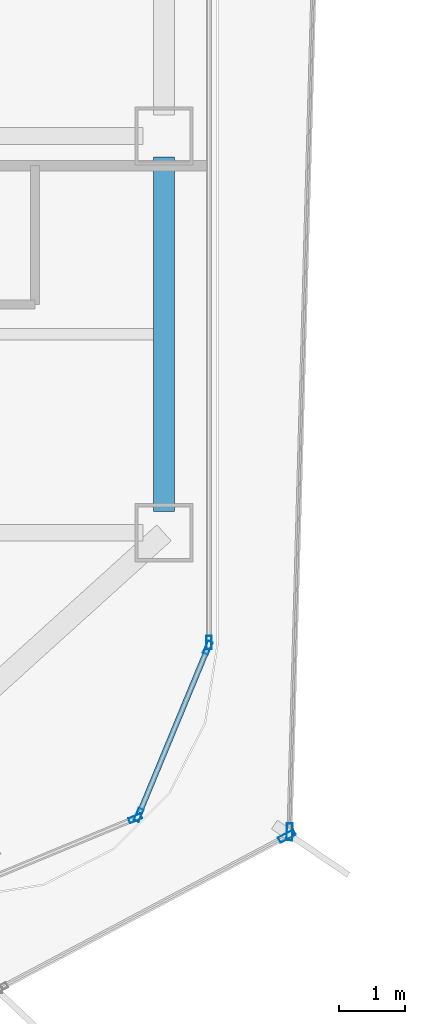
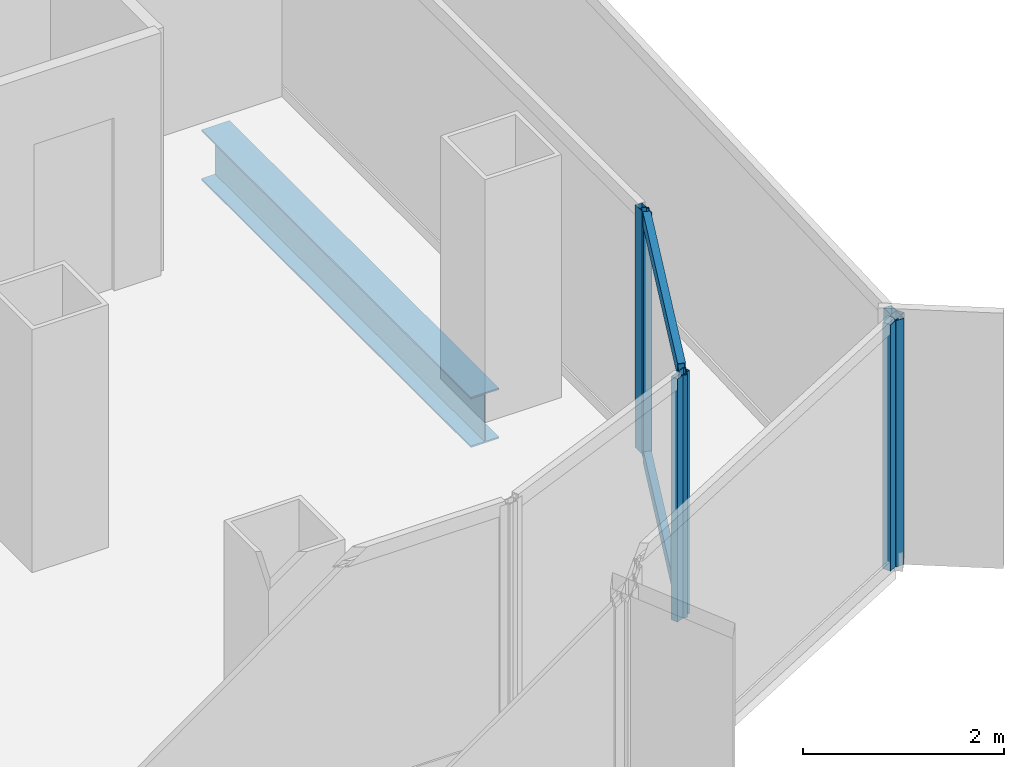
# One storey, part 8 of 21: 8 members, 1 beam, 5 elements without a shape of their own.
"""IFC4 building model written with IfcOpenShell, lengths in metres."""

import ifcopenshell
import ifcopenshell.guid

model = None  # the IFC model being written
_history = None  # IfcOwnerHistory: only IFC2X3 demands one
_inside = {}  # id of a spatial element -> (the spatial element, [elements in it])
_under = {}  # id of a project, library or spatial element -> (it, [spatial elements below it])
_declared = {}  # id of a project -> (the project, [libraries it declares])
_typed = {}  # id of a type object -> (the type object, [elements of that type])
_made_of = {}  # id of a material, layer set ... -> (it, [elements and type objects made of it])


def new_model(schema):
    """Start an empty IFC model of exactly this schema.

    Asked for "IFC4X3", IfcOpenShell would pick the latest addendum, in which some entities
    have other attributes; the version numbers below select the first issue.
    IFC2X3 requires an IfcOwnerHistory on every rooted entity: one is made here for all.
    """
    global model, _history
    if schema == "IFC4X3":
        model = ifcopenshell.file(schema_version=(4, 3, 0, 0))
    else:
        model = ifcopenshell.file(schema=schema)
    _inside.clear()
    _under.clear()
    _declared.clear()
    _typed.clear()
    _made_of.clear()
    _history = None
    if model.schema == "IFC2X3":
        org = make("IfcOrganization", Name="unknown")
        user = make(
            "IfcPersonAndOrganization",
            ThePerson=make("IfcPerson", FamilyName="unknown"),
            TheOrganization=org,
        )
        app = make(
            "IfcApplication",
            ApplicationDeveloper=org,
            Version="unknown",
            ApplicationFullName="unknown",
            ApplicationIdentifier="unknown",
        )
        _history = make(
            "IfcOwnerHistory",
            OwningUser=user,
            OwningApplication=app,
            ChangeAction="ADDED",
            CreationDate=0,
        )
    return model


def make(cls, **values):
    """One entity of the class cls with the attributes given. An attribute that is None is left unset."""
    return model.create_entity(
        cls, **{name: value for name, value in values.items() if value is not None}
    )


def rooted(cls, **values):
    """An entity with a GlobalId (a new one), such as an element, a storey or a relation."""
    return make(cls, GlobalId=ifcopenshell.guid.new(), OwnerHistory=_history, **values)


def si_unit(unit_type, name, prefix=None):
    """IfcSIUnit, for example si_unit("LENGTHUNIT", "METRE", prefix="MILLI")."""
    return make("IfcSIUnit", UnitType=unit_type, Prefix=prefix, Name=name)


def assignment(units):
    """IfcUnitAssignment: the units of a project."""
    return None if units is None else make("IfcUnitAssignment", Units=units)


def point(xyz):
    """IfcCartesianPoint."""
    return None if xyz is None else make("IfcCartesianPoint", Coordinates=xyz)


def direction(xyz):
    """IfcDirection."""
    return None if xyz is None else make("IfcDirection", DirectionRatios=xyz)


def frame(location, z_axis=None, x_axis=None):
    """IfcAxis2Placement3D, a coordinate frame: its origin and axes. An axis left out is left unset."""
    return make(
        "IfcAxis2Placement3D",
        Location=point(location),
        Axis=direction(z_axis),
        RefDirection=direction(x_axis),
    )


def frame_2d(location, x_axis=None):
    """IfcAxis2Placement2D, a coordinate frame in the plane: its origin and x axis."""
    return make(
        "IfcAxis2Placement2D", Location=point(location), RefDirection=direction(x_axis)
    )


def origin():
    """The frame at (0, 0, 0) with its axes left unset."""
    return frame((0.0, 0.0, 0.0))


def origin_2d():
    """The frame at (0, 0) in the plane with its x axis left unset."""
    return frame_2d((0.0, 0.0))


def place(relative_to, where):
    """IfcLocalPlacement: puts the frame where relative to a parent placement (None: the world)."""
    return make(
        "IfcLocalPlacement", PlacementRelTo=relative_to, RelativePlacement=where
    )


def context(
    kind, dimensions, precision=None, world=None, true_north=None, identifier=None
):
    """IfcGeometricRepresentationContext, for example the 3D "Model" context."""
    return make(
        "IfcGeometricRepresentationContext",
        ContextIdentifier=identifier,
        ContextType=kind,
        CoordinateSpaceDimension=dimensions,
        Precision=precision,
        WorldCoordinateSystem=world,
        TrueNorth=true_north,
    )


def subcontext(parent, identifier, kind, view, scale=None):
    """IfcGeometricRepresentationSubContext, for example "Body" below "Model"."""
    return make(
        "IfcGeometricRepresentationSubContext",
        ContextIdentifier=identifier,
        ContextType=kind,
        ParentContext=parent,
        TargetScale=scale,
        TargetView=view,
    )


def project(units=None, contexts=None):
    """IfcProject with its units and contexts."""
    return rooted(
        "IfcProject",
        Name="project",
        RepresentationContexts=contexts,
        UnitsInContext=assignment(units),
    )


def spatial(cls, under=None, at=None, **own):
    """A site, building, storey or space (cls), placed at a placement, below another one or the project."""
    s = rooted(cls, ObjectPlacement=at, **own)
    if under is not None:
        _under.setdefault(under.id(), (under, []))[1].append(s)
    return s


def profile(cls, at=None, kind="AREA", **sizes):
    """A parametric profile (cls). Its sizes go by their IFC names, for example OverallWidth=200.0."""
    return make(cls, ProfileType=kind, Position=at, **sizes)


def hollow_rectangle(**sizes):
    """IfcRectangleHollowProfileDef."""
    return profile("IfcRectangleHollowProfileDef", **sizes)


def i_section(**sizes):
    """IfcIShapeProfileDef."""
    return profile("IfcIShapeProfileDef", **sizes)


def extrude(swept, where, along, depth):
    """IfcExtrudedAreaSolid: the profile swept, set in the frame where, extruded along a direction by depth."""
    return make(
        "IfcExtrudedAreaSolid",
        SweptArea=swept,
        Position=where,
        ExtrudedDirection=direction(along),
        Depth=depth,
    )


def shape(context_of_items, identifier, shape_type, items):
    """IfcShapeRepresentation: the items that make up one representation, for example the "Body"."""
    return make(
        "IfcShapeRepresentation",
        ContextOfItems=context_of_items,
        RepresentationIdentifier=identifier,
        RepresentationType=shape_type,
        Items=items,
    )


def source(mapping_origin, context_of_items, identifier, shape_type, items):
    """IfcRepresentationMap: a shape defined once, which mapped items show again and again."""
    return make(
        "IfcRepresentationMap",
        MappingOrigin=mapping_origin,
        MappedRepresentation=shape(context_of_items, identifier, shape_type, items),
    )


def transform(
    local_origin,
    x_axis=None,
    y_axis=None,
    z_axis=None,
    scale=None,
    scale2=None,
    scale3=None,
    uniform=True,
):
    """IfcCartesianTransformationOperator3D, or its non-uniform kind. x_axis, y_axis, z_axis: its Axis1, 2, 3."""
    if uniform:
        return make(
            "IfcCartesianTransformationOperator3D",
            Axis1=direction(x_axis),
            Axis2=direction(y_axis),
            LocalOrigin=point(local_origin),
            Scale=scale,
            Axis3=direction(z_axis),
        )
    return make(
        "IfcCartesianTransformationOperator3DnonUniform",
        Axis1=direction(x_axis),
        Axis2=direction(y_axis),
        LocalOrigin=point(local_origin),
        Scale=scale,
        Axis3=direction(z_axis),
        Scale2=scale2,
        Scale3=scale3,
    )


def mapped(mapping_source, mapping_target):
    """IfcMappedItem: shows the shape of a source again, moved by a transform."""
    return make(
        "IfcMappedItem", MappingSource=mapping_source, MappingTarget=mapping_target
    )


def material(Name=None, Category=None):
    """IfcMaterial."""
    return make("IfcMaterial", Name=Name, Category=Category)


def layer(
    of_material, thickness, ventilated=None, Name=None, Category=None, Priority=None
):
    """IfcMaterialLayer: one layer of a wall or slab, of a material (None: an air gap)."""
    return make(
        "IfcMaterialLayer",
        Material=of_material,
        LayerThickness=thickness,
        IsVentilated=ventilated,
        Name=Name,
        Category=Category,
        Priority=Priority,
    )


def layer_set(layers, Name=None):
    """IfcMaterialLayerSet."""
    return make("IfcMaterialLayerSet", MaterialLayers=layers, LayerSetName=Name)


def material_profile(
    of_material, cross_section, Name=None, Category=None, Priority=None
):
    """IfcMaterialProfile: a cross section and its material."""
    return make(
        "IfcMaterialProfile",
        Name=Name,
        Material=of_material,
        Profile=cross_section,
        Priority=Priority,
        Category=Category,
    )


def profile_set(profiles, Name=None, composite=None):
    """IfcMaterialProfileSet."""
    return make(
        "IfcMaterialProfileSet",
        Name=Name,
        MaterialProfiles=profiles,
        CompositeProfile=composite,
    )


def made_of(thing, what):
    """Note that an element or type object is made of a material, layer set ...; save() writes the relation."""
    if what is not None:
        _made_of.setdefault(what.id(), (what, []))[1].append(thing)
    return thing


def type_object(cls, material=None, **own):
    """A type object (cls), such as IfcWallType, which elements share."""
    return made_of(rooted(cls, **own), material)


def element(
    cls,
    number,
    at=None,
    inside=None,
    cuts=None,
    type_object=None,
    material=None,
    context=None,
    identifier="Body",
    shape_type=None,
    held_by="IfcProductDefinitionShape",
    body=None,
    shapes=None,
    **own,
):
    """One element of the class cls, such as IfcWall. Its Tag is "e" and its number.

    at: its placement. inside: the storey or other place that contains it. cuts: it is an
    opening in that element (IfcRelVoidsElement). A single representation is given by context,
    identifier, shape_type and body (its items); several are given by shapes. held_by: the class
    of the entity that holds the representations. save() writes the other relations.
    """
    e = rooted(cls, Tag="e%d" % number, ObjectPlacement=at, **own)
    if body is not None:
        shapes = [shape(context, identifier, shape_type, body)]
    if shapes is not None:
        e.Representation = make(held_by, Representations=shapes)
    if inside is not None:
        _inside.setdefault(inside.id(), (inside, []))[1].append(e)
    if cuts is not None:
        rooted(
            "IfcRelVoidsElement", RelatingBuildingElement=cuts, RelatedOpeningElement=e
        )
    if type_object is not None:
        _typed.setdefault(type_object.id(), (type_object, []))[1].append(e)
    return made_of(e, material)


def aggregate(whole, parts):
    """IfcRelAggregates: a whole, such as a stair, and the parts it consists of."""
    return rooted("IfcRelAggregates", RelatingObject=whole, RelatedObjects=parts)


def save(model, path):
    """Write the relations noted so far, then the file.

    IfcRelAggregates (storeys below a building ...), IfcRelContainedInSpatialStructure (elements
    in a storey), IfcRelDefinesByType, IfcRelAssociatesMaterial and IfcRelDeclares: one each for
    every whole, place, type object, material and project.
    """
    for whole, parts in _under.values():
        aggregate(whole, parts)
    for where, things in _inside.values():
        rooted(
            "IfcRelContainedInSpatialStructure",
            RelatedElements=things,
            RelatingStructure=where,
        )
    for kind, things in _typed.values():
        rooted("IfcRelDefinesByType", RelatedObjects=things, RelatingType=kind)
    for what, things in _made_of.values():
        rooted("IfcRelAssociatesMaterial", RelatedObjects=things, RelatingMaterial=what)
    for by, libraries in _declared.values():
        rooted("IfcRelDeclares", RelatingContext=by, RelatedDefinitions=libraries)
    model.write(path)


model = new_model("IFC4")

# Units and contexts
model_context = context("Model", 3, precision=1e-05, world=origin(), true_north=direction((0.0, 1.0)))
body_context = subcontext(model_context, "Body", "Model", "MODEL_VIEW")
ifc_project = project(units=[si_unit("LENGTHUNIT", "METRE"), si_unit("AREAUNIT", "SQUARE_METRE"), si_unit("VOLUMEUNIT", "CUBIC_METRE"), si_unit("PLANEANGLEUNIT", "RADIAN"), si_unit("MASSUNIT", "GRAM", prefix="KILO")], contexts=[model_context])

# Site, building, storey
site_placement = place(None, origin())
site = spatial("IfcSite", under=ifc_project, at=site_placement, CompositionType="ELEMENT")
building_placement = place(site_placement, origin())
building = spatial("IfcBuilding", under=site, at=building_placement, Name="Kolveth Station Tower", CompositionType="ELEMENT")
storey_placement = place(building_placement, frame((0.0, 0.0, 124.699951171875)))
storey = spatial("IfcBuildingStorey", under=building, at=storey_placement, Name="L34", CompositionType="ELEMENT", Elevation=124.699951171875)

# Beam
ifc_material_1 = material(Name="Steel S355", Category="steel")
ifc_material_profile_1 = material_profile(ifc_material_1, i_section(OverallWidth=0.323974609375, OverallDepth=0.611083984375, WebThickness=0.0126953125, FlangeThickness=0.01904296875, at=origin_2d()), Name="W610x155")
ifc_profile_set_1 = profile_set([ifc_material_profile_1], Name="Steel S355")
beam_type = type_object("IfcBeamType", Name="Beam_SP2", PredefinedType="SPANDREL", material=ifc_profile_set_1)
shared_shape_1 = source(origin(), body_context, "Body", "SweptSolid", [
    extrude(i_section(OverallWidth=0.323974609375, OverallDepth=0.611083984375, WebThickness=0.0126953125, FlangeThickness=0.01904296875, at=origin_2d()), origin(), (0.0, 0.0, 1.0), 5.35986328125),
])
beam_placement = place(storey_placement, frame((46.199951171875, 5.820068359375, -0.555419921875), z_axis=(0.0, 1.0, 0.0), x_axis=(-1.0, 0.0, 0.0)))
element("IfcBeam", 1, at=beam_placement, inside=storey, type_object=beam_type, Name="L34 Perimeter Spandrel BM-L34-PE-1", PredefinedType="SPANDREL", context=body_context, shape_type="MappedRepresentation", body=[
    mapped(shared_shape_1, transform((0.0, 0.0, 0.0), x_axis=(1.0, 0.0, 0.0), y_axis=(0.0, 1.0, 0.0), z_axis=(0.0, 0.0, 1.0), scale=1.0)),
])

# Curtain wall, member
ifc_material_2 = material(Name="Aluminium 6063-T6 and low-E dark glass", Category="aluminium")
ifc_layer_1 = layer(ifc_material_2, 0.18994140625)
ifc_layer_set_1 = layer_set([ifc_layer_1], Name="Aluminium 6063-T6 and low-E dark glass")
curtain_wall_type_1 = type_object("IfcCurtainWallType", Name="CurtainWall_CW-Z2", PredefinedType="NOTDEFINED", material=ifc_layer_set_1)
curtain_wall_1_placement = place(storey_placement, origin())
curtain_wall_1 = element("IfcCurtainWall", 2, at=curtain_wall_1_placement, inside=storey, type_object=curtain_wall_type_1, Name="L34 Inner Thermal Curtain Wall 1", PredefinedType="NOTDEFINED")
ifc_material_3 = material(Name="Black anodized aluminium 6063-T6", Category="aluminium")
ifc_material_profile_2 = material_profile(ifc_material_3, hollow_rectangle(XDim=0.080078125, YDim=0.199951171875, WallThickness=0.0048828125, at=origin_2d()), Name="ALU-80x200x5")
ifc_profile_set_2 = profile_set([ifc_material_profile_2], Name="Black anodized aluminium 6063-T6")
member_type_1 = type_object("IfcMemberType", Name="Mullion_ML2", PredefinedType="MULLION", material=ifc_profile_set_2)
shared_shape_2 = source(origin(), body_context, "Body", "SweptSolid", [
    extrude(hollow_rectangle(XDim=0.080078125, YDim=0.199951171875, WallThickness=0.0048828125, at=origin_2d()), origin(), (0.0, 0.0, 1.0), 2.949951171875),
])
member_1_placement = place(storey_placement, frame((45.76513671875, 1.182373046875, 0.0), z_axis=(0.0, 0.0, 1.0), x_axis=(-0.38266326998, 0.923887883787, 0.0)))
member_1 = element("IfcMember", 3, at=member_1_placement, type_object=member_type_1, Name="CW-Z2 mullion 2", PredefinedType="MULLION", context=body_context, shape_type="MappedRepresentation", body=[
    mapped(shared_shape_2, transform((0.0, 0.0, 0.0), x_axis=(1.0, 0.0, 0.0), y_axis=(0.0, 1.0, 0.0), z_axis=(0.0, 0.0, 1.0), scale=1.0)),
])
aggregate(curtain_wall_1, [member_1])

# Curtain wall, members
curtain_wall_2_placement = place(storey_placement, origin())
curtain_wall_2 = element("IfcCurtainWall", 4, at=curtain_wall_2_placement, inside=storey, type_object=curtain_wall_type_1, Name="L34 Inner Thermal Curtain Wall 2", PredefinedType="NOTDEFINED")
member_2_placement = place(storey_placement, frame((45.817626953125, 1.23486328125, 0.0), z_axis=(0.0, 0.0, 1.0), x_axis=(-0.923887883787, 0.38266326998, 0.0)))
member_2 = element("IfcMember", 5, at=member_2_placement, type_object=member_type_1, Name="CW-Z2 mullion 1", PredefinedType="MULLION", context=body_context, shape_type="MappedRepresentation", body=[
    mapped(shared_shape_2, transform((0.0, 0.0, 0.0), x_axis=(1.0, 0.0, 0.0), y_axis=(0.0, 1.0, 0.0), z_axis=(0.0, 0.0, 1.0), scale=1.0)),
])
member_3_placement = place(storey_placement, frame((46.86474609375, 3.762939453125, 0.0), z_axis=(0.0, 0.0, 1.0), x_axis=(-0.923887883787, 0.38266326998, 0.0)))
member_3 = element("IfcMember", 6, at=member_3_placement, type_object=member_type_1, Name="CW-Z2 mullion 2", PredefinedType="MULLION", context=body_context, shape_type="MappedRepresentation", body=[
    mapped(shared_shape_2, transform((0.0, 0.0, 0.0), x_axis=(1.0, 0.0, 0.0), y_axis=(0.0, 1.0, 0.0), z_axis=(0.0, 0.0, 1.0), scale=1.0)),
])

# Curtain wall, member
curtain_wall_3_placement = place(storey_placement, origin())
curtain_wall_3 = element("IfcCurtainWall", 7, at=curtain_wall_3_placement, inside=storey, type_object=curtain_wall_type_1, Name="L34 Inner Thermal Curtain Wall 3", PredefinedType="NOTDEFINED")
member_4_placement = place(storey_placement, frame((46.8798828125, 3.840087890625, 0.0), z_axis=(0.0, 0.0, 1.0), x_axis=(-1.0, 0.0, 0.0)))
member_4 = element("IfcMember", 8, at=member_4_placement, type_object=member_type_1, Name="CW-Z2 mullion 1", PredefinedType="MULLION", context=body_context, shape_type="MappedRepresentation", body=[
    mapped(shared_shape_2, transform((0.0, 0.0, 0.0), x_axis=(1.0, 0.0, 0.0), y_axis=(0.0, 1.0, 0.0), z_axis=(0.0, 0.0, 1.0), scale=1.0)),
])
aggregate(curtain_wall_3, [member_4])

# Member
ifc_material_profile_3 = material_profile(ifc_material_3, hollow_rectangle(XDim=0.080078125, YDim=0.169921875, WallThickness=0.0048828125, at=origin_2d()), Name="ALU-80x170x5")
ifc_profile_set_3 = profile_set([ifc_material_profile_3], Name="Black anodized aluminium 6063-T6")
member_type_2 = type_object("IfcMemberType", Name="Transom_TR2", PredefinedType="USERDEFINED", material=ifc_profile_set_3)
shared_shape_3 = source(origin(), body_context, "Body", "SweptSolid", [
    extrude(hollow_rectangle(XDim=0.080078125, YDim=0.169921875, WallThickness=0.0048828125, at=origin_2d()), origin(), (0.0, 0.0, 1.0), 2.656494140625),
])
member_5_placement = place(storey_placement, frame((45.832763671875, 1.271728515625, 0.0400390625), z_axis=(0.382676455475, 0.923882422403, 0.0), x_axis=(-0.923882422403, 0.382676455475, 0.0)))
member_5 = element("IfcMember", 9, at=member_5_placement, type_object=member_type_2, Name="CW-Z2 transom 1.1", ObjectType="TRANSOM", PredefinedType="USERDEFINED", context=body_context, shape_type="MappedRepresentation", body=[
    mapped(shared_shape_3, transform((0.0, 0.0, 0.0), x_axis=(1.0, 0.0, 0.0), y_axis=(0.0, 1.0, 0.0), z_axis=(0.0, 0.0, 1.0), scale=1.0)),
])

member_6_placement = place(storey_placement, frame((45.832763671875, 1.271728515625, 2.91015625), z_axis=(0.382676455475, 0.923882422403, 0.0), x_axis=(-0.923882422403, 0.382676455475, 0.0)))
member_6 = element("IfcMember", 10, at=member_6_placement, type_object=member_type_2, Name="CW-Z2 transom 1.2", ObjectType="TRANSOM", PredefinedType="USERDEFINED", context=body_context, shape_type="MappedRepresentation", body=[
    mapped(shared_shape_3, transform((0.0, 0.0, 0.0), x_axis=(1.0, 0.0, 0.0), y_axis=(0.0, 1.0, 0.0), z_axis=(0.0, 0.0, 1.0), scale=1.0)),
])

aggregate(curtain_wall_2, [member_2, member_3, member_5, member_6])

# Curtain wall, member
ifc_material_4 = material(Name="Black anodized aluminium 6063-T6 and dark solar glass", Category="aluminium")
ifc_layer_2 = layer(ifc_material_4, 0.159912109375)
ifc_layer_set_2 = layer_set([ifc_layer_2], Name="Black anodized aluminium 6063-T6 and dark solar glass")
curtain_wall_type_2 = type_object("IfcCurtainWallType", Name="OUTER SKIN CW-OS", PredefinedType="NOTDEFINED", material=ifc_layer_set_2)
curtain_wall_4_placement = place(storey_placement, origin())
curtain_wall_4 = element("IfcCurtainWall", 11, at=curtain_wall_4_placement, inside=storey, type_object=curtain_wall_type_2, Name="L34 Outer Ventilated Skin Curtain Wall 1", PredefinedType="NOTDEFINED")
ifc_material_profile_4 = material_profile(ifc_material_3, hollow_rectangle(XDim=0.090087890625, YDim=0.260009765625, WallThickness=0.0048828125, at=origin_2d()), Name="ALU-90x260x5")
ifc_profile_set_4 = profile_set([ifc_material_profile_4], Name="Black anodized aluminium 6063-T6")
member_type_3 = type_object("IfcMemberType", Name="FIN MULLION ML-OS", PredefinedType="MULLION", material=ifc_profile_set_4)
shared_shape_4 = source(origin(), body_context, "Body", "SweptSolid", [
    extrude(hollow_rectangle(XDim=0.090087890625, YDim=0.260009765625, WallThickness=0.0048828125, at=origin_2d()), origin(), (0.0, 0.0, 1.0), 2.989990234375),
])
member_7_placement = place(storey_placement, frame((48.058349609375, 0.9130859375, 0.0), z_axis=(0.0, 0.0, 1.0), x_axis=(-0.468813701968, 0.883297069421, 0.0)))
member_7 = element("IfcMember", 12, at=member_7_placement, type_object=member_type_3, Name="CW-OS mullion 2", PredefinedType="MULLION", context=body_context, shape_type="MappedRepresentation", body=[
    mapped(shared_shape_4, transform((0.0, 0.0, 0.0), x_axis=(1.0, 0.0, 0.0), y_axis=(0.0, 1.0, 0.0), z_axis=(0.0, 0.0, 1.0), scale=1.0)),
])
aggregate(curtain_wall_4, [member_7])

curtain_wall_5_placement = place(storey_placement, origin())
curtain_wall_5 = element("IfcCurtainWall", 13, at=curtain_wall_5_placement, inside=storey, type_object=curtain_wall_type_2, Name="L34 Outer Ventilated Skin Curtain Wall 2", PredefinedType="NOTDEFINED")
member_8_placement = place(storey_placement, frame((48.099365234375, 0.97900390625, 0.0), z_axis=(0.0, 0.0, 1.0), x_axis=(-0.999597097979, 0.028383828337, 0.0)))
member_8 = element("IfcMember", 14, at=member_8_placement, type_object=member_type_3, Name="CW-OS mullion 1", PredefinedType="MULLION", context=body_context, shape_type="MappedRepresentation", body=[
    mapped(shared_shape_4, transform((0.0, 0.0, 0.0), x_axis=(1.0, 0.0, 0.0), y_axis=(0.0, 1.0, 0.0), z_axis=(0.0, 0.0, 1.0), scale=1.0)),
])
aggregate(curtain_wall_5, [member_8])

save(model, "model.ifc")
